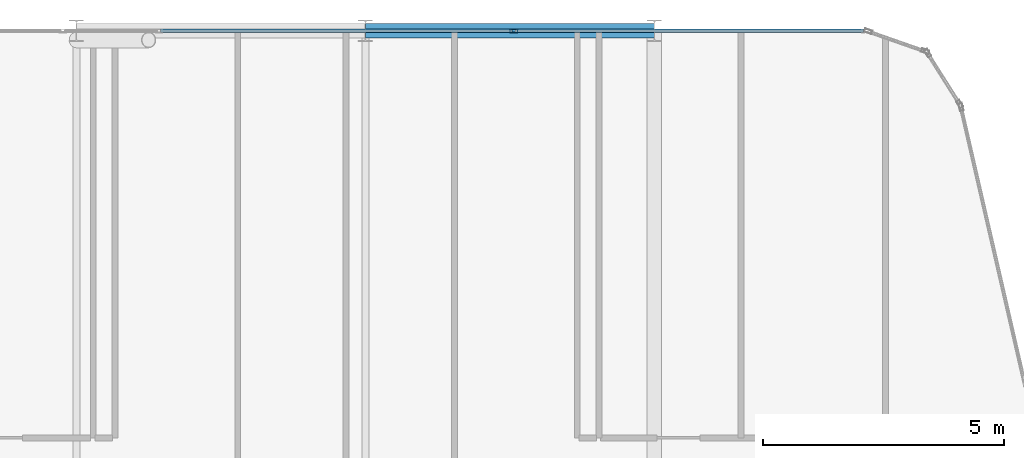
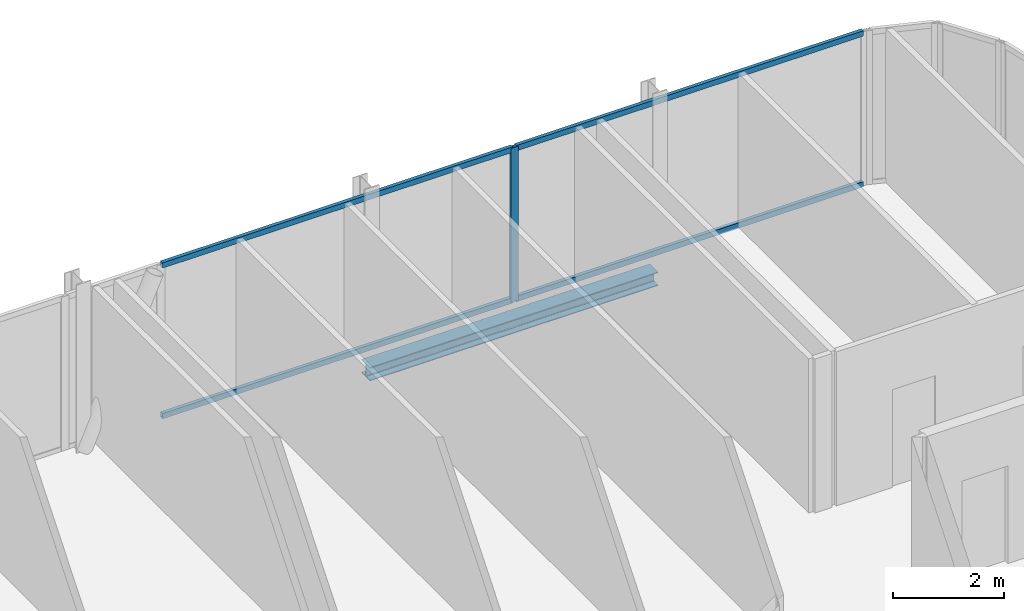
# One storey, part 19 of 29: 5 members, 1 beam, 1 element without a shape of its own.
"""IFC4 building model written with IfcOpenShell, lengths in metres."""

from ifc_helpers import new_model, si_unit, direction, frame, origin, origin_2d, place, context, subcontext, project, spatial, hollow_rectangle, i_section, extrude, material, layer, layer_set, material_profile, profile_set, type_object, element, aggregate, save


model = new_model("IFC4")

# Units and contexts
model_context = context("Model", 3, precision=1e-05, world=origin(), true_north=direction((0.0, 1.0)))
body_context = subcontext(model_context, "Body", "Model", "MODEL_VIEW")
ifc_project = project(units=[si_unit("LENGTHUNIT", "METRE"), si_unit("AREAUNIT", "SQUARE_METRE"), si_unit("VOLUMEUNIT", "CUBIC_METRE"), si_unit("PLANEANGLEUNIT", "RADIAN"), si_unit("MASSUNIT", "GRAM", prefix="KILO")], contexts=[model_context])

# Site, building, storey
site_placement = place(None, origin())
site = spatial("IfcSite", under=ifc_project, at=site_placement, CompositionType="ELEMENT")
building_placement = place(site_placement, origin())
building = spatial("IfcBuilding", under=site, at=building_placement, Name="Keshet Zoharim Tower", CompositionType="ELEMENT")
storey_placement = place(building_placement, frame((0.0, 0.0, 192.10009765625)))
storey = spatial("IfcBuildingStorey", under=building, at=storey_placement, Name="L47", CompositionType="ELEMENT", Elevation=192.10009765625)

# Beam
ifc_material_1 = material(Name="Steel S355", Category="steel")
ifc_material_profile_1 = material_profile(ifc_material_1, i_section(OverallWidth=0.300048828125, OverallDepth=0.300048828125, WebThickness=0.010986328125, FlangeThickness=0.01904296875, FilletRadius=0.027099609375, at=origin_2d()), Name="HEB300")
ifc_profile_set_1 = profile_set([ifc_material_profile_1], Name="Steel S355")
beam_type = type_object("IfcBeamType", Name="BM-PRI-HB300", PredefinedType="BEAM", material=ifc_profile_set_1)
beam_placement = place(storey_placement, frame((27.0, 53.89990234375, -0.460205078125), z_axis=(1.0, 0.0, 0.0), x_axis=(0.0, 1.0, 0.0)))
element("IfcBeam", 1, at=beam_placement, inside=storey, type_object=beam_type, Name="L47 Primary Girder X-020", PredefinedType="BEAM", context=body_context, shape_type="SweptSolid", body=[
    extrude(i_section(OverallWidth=0.300048828125, OverallDepth=0.300048828125, WebThickness=0.010986328125, FlangeThickness=0.01904296875, FilletRadius=0.027099609375, at=origin_2d()), origin(), (0.0, 0.0, 1.0), 6.0),
])

# Curtain wall, members
ifc_material_2 = material(Name="Aluminium 6063-T6", Category="aluminium")
ifc_layer = layer(ifc_material_2, 0.139892578125)
ifc_layer_set = layer_set([ifc_layer], Name="Aluminium 6063-T6")
curtain_wall_type = type_object("IfcCurtainWallType", Name="CW-SYS-05", PredefinedType="NOTDEFINED", material=ifc_layer_set)
curtain_wall_placement = place(storey_placement, origin())
curtain_wall = element("IfcCurtainWall", 2, at=curtain_wall_placement, inside=storey, type_object=curtain_wall_type, Name="L47 Unitised Curtain Wall 16 Part 3", PredefinedType="NOTDEFINED")
ifc_material_profile_2 = material_profile(ifc_material_2, hollow_rectangle(XDim=0.074951171875, YDim=0.159912109375, WallThickness=0.00390625, at=origin_2d()), Name="MUL-75x160")
ifc_profile_set_2 = profile_set([ifc_material_profile_2], Name="Aluminium 6063-T6")
member_type_1 = type_object("IfcMemberType", Name="CWM-M15", PredefinedType="MULLION", material=ifc_profile_set_2)
member_1_placement = place(storey_placement, frame((30.07861328125, 53.89990234375, 0.0), z_axis=(0.0, 0.0, 1.0), x_axis=(0.0, 1.0, 0.0)))
member_1 = element("IfcMember", 3, at=member_1_placement, type_object=member_type_1, Name="CW-05 mullion 2", PredefinedType="MULLION", context=body_context, shape_type="SweptSolid", body=[
    extrude(hollow_rectangle(XDim=0.074951171875, YDim=0.159912109375, WallThickness=0.00390625, at=origin_2d()), origin(), (0.0, 0.0, 1.0), 3.389892578125),
])
ifc_material_profile_3 = material_profile(ifc_material_2, hollow_rectangle(XDim=0.074951171875, YDim=0.1201171875, WallThickness=0.00390625, at=origin_2d()), Name="TRN-75x120")
ifc_profile_set_3 = profile_set([ifc_material_profile_3], Name="Aluminium 6063-T6")
member_type_2 = type_object("IfcMemberType", Name="CWT-T12", PredefinedType="USERDEFINED", material=ifc_profile_set_3)
member_2_placement = place(storey_placement, frame((22.748046875, 53.89990234375, 0.034912109375), z_axis=(1.0, 0.0, 0.0), x_axis=(0.0, 1.0, 0.0)))
member_2 = element("IfcMember", 4, at=member_2_placement, type_object=member_type_2, Name="CW-05 transom 1.1", ObjectType="TRANSOM", PredefinedType="USERDEFINED", context=body_context, shape_type="SweptSolid", body=[
    extrude(hollow_rectangle(XDim=0.074951171875, YDim=0.1201171875, WallThickness=0.00390625, at=origin_2d()), origin(), (0.0, 0.0, 1.0), 7.29541015625),
])
member_3_placement = place(storey_placement, frame((22.748046875, 53.89990234375, 3.35498046875), z_axis=(1.0, 0.0, 0.0), x_axis=(0.0, 1.0, 0.0)))
member_3 = element("IfcMember", 5, at=member_3_placement, type_object=member_type_2, Name="CW-05 transom 1.2", ObjectType="TRANSOM", PredefinedType="USERDEFINED", context=body_context, shape_type="SweptSolid", body=[
    extrude(hollow_rectangle(XDim=0.074951171875, YDim=0.1201171875, WallThickness=0.00390625, at=origin_2d()), origin(), (0.0, 0.0, 1.0), 7.29541015625),
])
member_4_placement = place(storey_placement, frame((30.113525390625, 53.89990234375, 0.034912109375), z_axis=(1.0, 0.0, 0.0), x_axis=(0.0, 1.0, 0.0)))
member_4 = element("IfcMember", 6, at=member_4_placement, type_object=member_type_2, Name="CW-05 transom 2.1", ObjectType="TRANSOM", PredefinedType="USERDEFINED", context=body_context, shape_type="SweptSolid", body=[
    extrude(hollow_rectangle(XDim=0.074951171875, YDim=0.1201171875, WallThickness=0.00390625, at=origin_2d()), origin(), (0.0, 0.0, 1.0), 7.2255859375),
])
member_5_placement = place(storey_placement, frame((30.113525390625, 53.89990234375, 3.35498046875), z_axis=(1.0, 0.0, 0.0), x_axis=(0.0, 1.0, 0.0)))
member_5 = element("IfcMember", 7, at=member_5_placement, type_object=member_type_2, Name="CW-05 transom 2.2", ObjectType="TRANSOM", PredefinedType="USERDEFINED", context=body_context, shape_type="SweptSolid", body=[
    extrude(hollow_rectangle(XDim=0.074951171875, YDim=0.1201171875, WallThickness=0.00390625, at=origin_2d()), origin(), (0.0, 0.0, 1.0), 7.2255859375),
])
aggregate(curtain_wall, [member_1, member_2, member_3, member_4, member_5])

save(model, "model.ifc")
